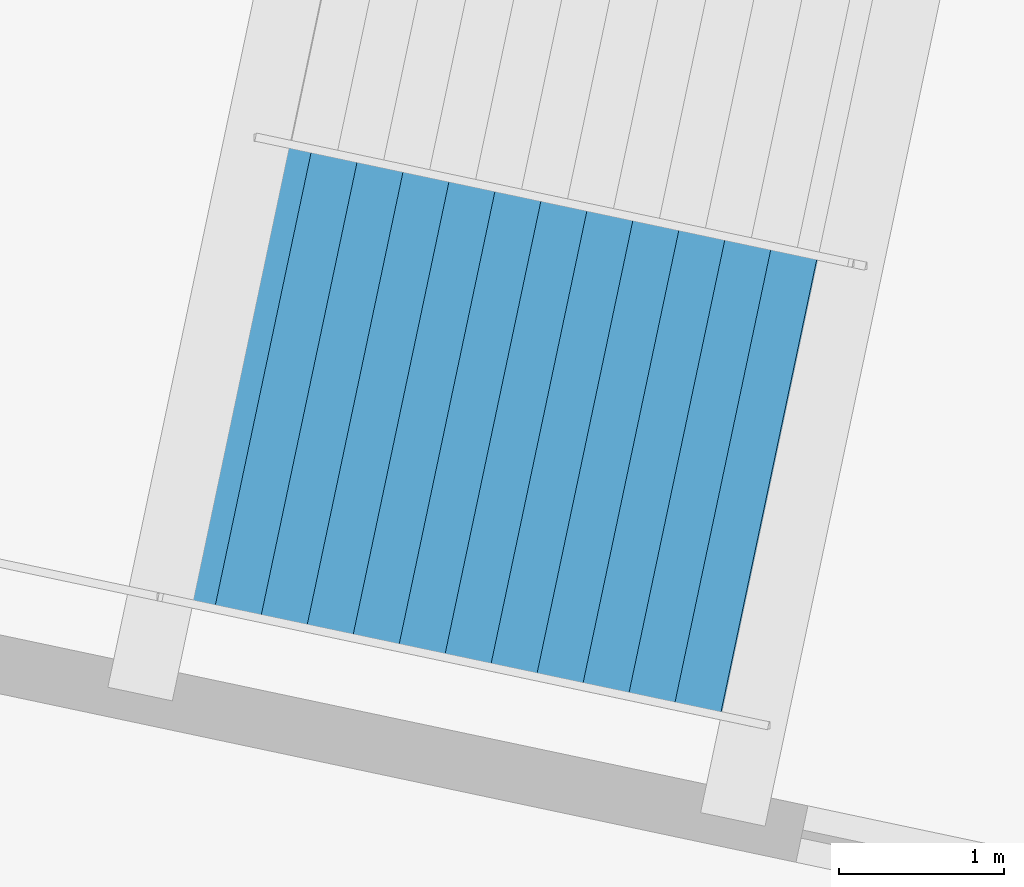
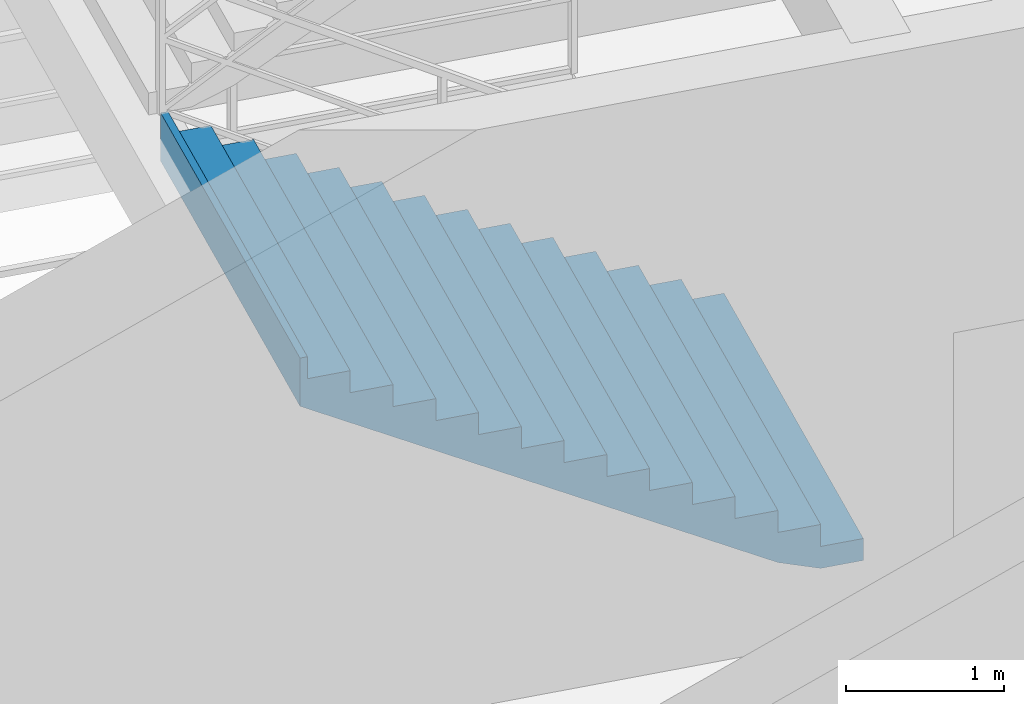
# One storey, part 162 of 171: 1 stair flight, 1 element without a shape of its own.
"""IFC4 building model written with IfcOpenShell, lengths in metres."""

from ifc_helpers import new_model, si_unit, direction, frame, origin, place, context, subcontext, project, spatial, polygons, material, type_object, element, aggregate, save


model = new_model("IFC4")

# Units and contexts
model_context = context("Model", 3, precision=1e-05, world=origin(), true_north=direction((0.0, 1.0)))
body_context = subcontext(model_context, "Body", "Model", "MODEL_VIEW")
ifc_project = project(units=[si_unit("LENGTHUNIT", "METRE"), si_unit("AREAUNIT", "SQUARE_METRE"), si_unit("VOLUMEUNIT", "CUBIC_METRE"), si_unit("PLANEANGLEUNIT", "RADIAN"), si_unit("MASSUNIT", "GRAM", prefix="KILO")], contexts=[model_context])

# Site, building, storey
site_placement = place(None, origin())
site = spatial("IfcSite", under=ifc_project, at=site_placement, CompositionType="ELEMENT")
building_placement = place(site_placement, origin())
building = spatial("IfcBuilding", under=site, at=building_placement, Name="Kazemori Nagisa Stadium", CompositionType="ELEMENT")
storey_placement = place(building_placement, frame((0.0, 0.0, 15.639892578125)))
storey = spatial("IfcBuildingStorey", under=building, at=storey_placement, Name="L03", CompositionType="ELEMENT", Elevation=15.639892578125)

# Stair, stair flight
ifc_material = material(Name="Concrete C36/45 (Fc36)", Category="concrete")
stair_type = type_object("IfcStairType", Name="Stair_CORE_28", PredefinedType="TWO_STRAIGHT_RUN_STAIR", material=ifc_material)
stair_placement = place(storey_placement, origin())
stair = element("IfcStair", 1, at=stair_placement, inside=storey, type_object=stair_type, Name="Exit stair ST11 L03", PredefinedType="TWO_STRAIGHT_RUN_STAIR")
stair_flight_type = type_object("IfcStairFlightType", Name="Flight_CORE_14", PredefinedType="STRAIGHT", material=ifc_material)
stair_flight_placement = place(storey_placement, frame((158.251953125, 176.464111328125, 0.0), z_axis=(0.0, 0.0, 1.0), x_axis=(-0.978345854204, 0.206976785078, 0.0)))
stair_flight = element("IfcStairFlight", 2, at=stair_flight_placement, type_object=stair_flight_type, Name="Exit stair ST11 L03 flight 1", NumberOfRisers=14, NumberOfTreads=13, PredefinedType="STRAIGHT", RiserHeight=0.17, TreadLength=0.285, context=body_context, shape_type="Tessellation", body=[
    polygons([(0.0, -1.425048828125, 0.0), (0.0, -1.425048828125, 0.169921875), (0.284912109375, -1.425048828125, 0.169921875), (0.284912109375, -1.425048828125, 0.340087890625), (0.570068359375, -1.425048828125, 0.340087890625), (0.570068359375, -1.425048828125, 0.510009765625), (0.85498046875, -1.425048828125, 0.510009765625), (0.85498046875, -1.425048828125, 0.679931640625), (1.139892578125, -1.425048828125, 0.679931640625), (1.139892578125, -1.425048828125, 0.85009765625), (1.425048828125, -1.425048828125, 0.85009765625), (1.425048828125, -1.425048828125, 1.02001953125), (1.7099609375, -1.425048828125, 1.02001953125), (1.7099609375, -1.425048828125, 1.18994140625), (1.9951171875, -1.425048828125, 1.18994140625), (1.9951171875, -1.425048828125, 1.360107421875), (2.280029296875, -1.425048828125, 1.360107421875), (2.280029296875, -1.425048828125, 1.530029296875), (2.56494140625, -1.425048828125, 1.530029296875), (2.56494140625, -1.425048828125, 1.699951171875), (2.85009765625, -1.425048828125, 1.699951171875), (2.85009765625, -1.425048828125, 1.8701171875), (3.135009765625, -1.425048828125, 1.8701171875), (3.135009765625, -1.425048828125, 2.0400390625), (3.419921875, -1.425048828125, 2.0400390625), (3.419921875, -1.425048828125, 2.2099609375), (3.705078125, -1.425048828125, 2.2099609375), (3.705078125, -1.425048828125, 2.3798828125), (3.7548828125, -1.425048828125, 2.3798828125), (3.7548828125, -1.425048828125, 2.007080078125), (3.705078125, -1.425048828125, 1.977294921875), (3.419921875, -1.425048828125, 1.80712890625), (3.135009765625, -1.425048828125, 1.63720703125), (2.85009765625, -1.425048828125, 1.46728515625), (2.56494140625, -1.425048828125, 1.297119140625), (2.280029296875, -1.425048828125, 1.127197265625), (1.9951171875, -1.425048828125, 0.957275390625), (1.7099609375, -1.425048828125, 0.787109375), (1.425048828125, -1.425048828125, 0.6171875), (1.139892578125, -1.425048828125, 0.447265625), (0.85498046875, -1.425048828125, 0.277099609375), (0.570068359375, -1.425048828125, 0.107177734375), (0.284912109375, -1.425048828125, 0.0), (0.0, -0.08544921875, 0.0), (0.0, -0.08544921875, 0.169921875), (0.284912109375, -0.08544921875, 0.169921875), (0.284912109375, -0.08544921875, 0.340087890625), (0.570068359375, -0.08544921875, 0.340087890625), (0.570068359375, -0.08544921875, 0.510009765625), (0.85498046875, -0.08544921875, 0.510009765625), (0.85498046875, -0.08544921875, 0.679931640625), (1.139892578125, -0.08544921875, 0.679931640625), (1.139892578125, -0.08544921875, 0.85009765625), (1.425048828125, -0.08544921875, 0.85009765625), (1.425048828125, -0.08544921875, 1.02001953125), (1.7099609375, -0.08544921875, 1.02001953125), (1.7099609375, -0.08544921875, 1.18994140625), (1.9951171875, -0.08544921875, 1.18994140625), (1.9951171875, -0.08544921875, 1.360107421875), (2.280029296875, -0.08544921875, 1.360107421875), (2.280029296875, -0.08544921875, 1.530029296875), (2.56494140625, -0.08544921875, 1.530029296875), (2.56494140625, -0.08544921875, 1.699951171875), (2.85009765625, -0.08544921875, 1.699951171875), (2.85009765625, -0.08544921875, 1.8701171875), (3.135009765625, -0.08544921875, 1.8701171875), (3.135009765625, -0.08544921875, 2.0400390625), (3.419921875, -0.08544921875, 2.0400390625), (3.419921875, -0.08544921875, 2.2099609375), (3.705078125, -0.08544921875, 2.2099609375), (3.705078125, -0.08544921875, 2.3798828125), (3.7548828125, -0.08544921875, 2.3798828125), (3.7548828125, -0.08544921875, 2.007080078125), (3.705078125, -0.08544921875, 1.977294921875), (3.419921875, -0.08544921875, 1.80712890625), (3.135009765625, -0.08544921875, 1.63720703125), (2.85009765625, -0.08544921875, 1.46728515625), (2.56494140625, -0.08544921875, 1.297119140625), (2.280029296875, -0.08544921875, 1.127197265625), (1.9951171875, -0.08544921875, 0.957275390625), (1.7099609375, -0.08544921875, 0.787109375), (1.425048828125, -0.08544921875, 0.6171875), (1.139892578125, -0.08544921875, 0.447265625), (0.85498046875, -0.08544921875, 0.277099609375), (0.570068359375, -0.08544921875, 0.107177734375), (0.284912109375, -0.08544921875, 0.0), (0.0, 0.0, 0.0), (0.0, 0.0, 0.169921875), (0.284912109375, 0.0, 0.169921875), (0.284912109375, 0.0, 0.340087890625), (0.570068359375, 0.0, 0.340087890625), (0.570068359375, 0.0, 0.510009765625), (0.85498046875, 0.0, 0.510009765625), (0.85498046875, 0.0, 0.679931640625), (1.139892578125, 0.0, 0.679931640625), (1.139892578125, 0.0, 0.85009765625), (1.425048828125, 0.0, 0.85009765625), (1.425048828125, 0.0, 1.02001953125), (1.7099609375, 0.0, 1.02001953125), (1.7099609375, 0.0, 1.18994140625), (1.9951171875, 0.0, 1.18994140625), (1.9951171875, 0.0, 1.360107421875), (2.280029296875, 0.0, 1.360107421875), (2.280029296875, 0.0, 1.530029296875), (2.56494140625, 0.0, 1.530029296875), (2.56494140625, 0.0, 1.699951171875), (2.85009765625, 0.0, 1.699951171875), (2.85009765625, 0.0, 1.8701171875), (3.135009765625, 0.0, 1.8701171875), (3.135009765625, 0.0, 2.0400390625), (3.419921875, 0.0, 2.0400390625), (3.419921875, 0.0, 2.2099609375), (3.705078125, 0.0, 2.2099609375), (3.705078125, 0.0, 2.3798828125), (3.7548828125, 0.0, 2.3798828125), (3.7548828125, 0.0, 2.007080078125), (3.705078125, 0.0, 1.977294921875), (3.419921875, 0.0, 1.80712890625), (3.135009765625, 0.0, 1.63720703125), (2.85009765625, 0.0, 1.46728515625), (2.56494140625, 0.0, 1.297119140625), (2.280029296875, 0.0, 1.127197265625), (1.9951171875, 0.0, 0.957275390625), (1.7099609375, 0.0, 0.787109375), (1.425048828125, 0.0, 0.6171875), (1.139892578125, 0.0, 0.447265625), (0.85498046875, 0.0, 0.277099609375), (0.570068359375, 0.0, 0.107177734375), (0.284912109375, 0.0, 0.0), (0.0, 0.08544921875, 0.0), (0.0, 0.08544921875, 0.169921875), (0.284912109375, 0.08544921875, 0.169921875), (0.284912109375, 0.08544921875, 0.340087890625), (0.570068359375, 0.08544921875, 0.340087890625), (0.570068359375, 0.08544921875, 0.510009765625), (0.85498046875, 0.08544921875, 0.510009765625), (0.85498046875, 0.08544921875, 0.679931640625), (1.139892578125, 0.08544921875, 0.679931640625), (1.139892578125, 0.08544921875, 0.85009765625), (1.425048828125, 0.08544921875, 0.85009765625), (1.425048828125, 0.08544921875, 1.02001953125), (1.7099609375, 0.08544921875, 1.02001953125), (1.7099609375, 0.08544921875, 1.18994140625), (1.9951171875, 0.08544921875, 1.18994140625), (1.9951171875, 0.08544921875, 1.360107421875), (2.280029296875, 0.08544921875, 1.360107421875), (2.280029296875, 0.08544921875, 1.530029296875), (2.56494140625, 0.08544921875, 1.530029296875), (2.56494140625, 0.08544921875, 1.699951171875), (2.85009765625, 0.08544921875, 1.699951171875), (2.85009765625, 0.08544921875, 1.8701171875), (3.135009765625, 0.08544921875, 1.8701171875), (3.135009765625, 0.08544921875, 2.0400390625), (3.419921875, 0.08544921875, 2.0400390625), (3.419921875, 0.08544921875, 2.2099609375), (3.705078125, 0.08544921875, 2.2099609375), (3.705078125, 0.08544921875, 2.3798828125), (3.7548828125, 0.08544921875, 2.3798828125), (3.7548828125, 0.08544921875, 2.007080078125), (3.705078125, 0.08544921875, 1.977294921875), (3.419921875, 0.08544921875, 1.80712890625), (3.135009765625, 0.08544921875, 1.63720703125), (2.85009765625, 0.08544921875, 1.46728515625), (2.56494140625, 0.08544921875, 1.297119140625), (2.280029296875, 0.08544921875, 1.127197265625), (1.9951171875, 0.08544921875, 0.957275390625), (1.7099609375, 0.08544921875, 0.787109375), (1.425048828125, 0.08544921875, 0.6171875), (1.139892578125, 0.08544921875, 0.447265625), (0.85498046875, 0.08544921875, 0.277099609375), (0.570068359375, 0.08544921875, 0.107177734375), (0.284912109375, 0.08544921875, 0.0), (0.0, 1.425048828125, 0.0), (0.0, 1.425048828125, 0.169921875), (0.284912109375, 1.425048828125, 0.169921875), (0.284912109375, 1.425048828125, 0.340087890625), (0.570068359375, 1.425048828125, 0.340087890625), (0.570068359375, 1.425048828125, 0.510009765625), (0.85498046875, 1.425048828125, 0.510009765625), (0.85498046875, 1.425048828125, 0.679931640625), (1.139892578125, 1.425048828125, 0.679931640625), (1.139892578125, 1.425048828125, 0.85009765625), (1.425048828125, 1.425048828125, 0.85009765625), (1.425048828125, 1.425048828125, 1.02001953125), (1.7099609375, 1.425048828125, 1.02001953125), (1.7099609375, 1.425048828125, 1.18994140625), (1.9951171875, 1.425048828125, 1.18994140625), (1.9951171875, 1.425048828125, 1.360107421875), (2.280029296875, 1.425048828125, 1.360107421875), (2.280029296875, 1.425048828125, 1.530029296875), (2.56494140625, 1.425048828125, 1.530029296875), (2.56494140625, 1.425048828125, 1.699951171875), (2.85009765625, 1.425048828125, 1.699951171875), (2.85009765625, 1.425048828125, 1.8701171875), (3.135009765625, 1.425048828125, 1.8701171875), (3.135009765625, 1.425048828125, 2.0400390625), (3.419921875, 1.425048828125, 2.0400390625), (3.419921875, 1.425048828125, 2.2099609375), (3.705078125, 1.425048828125, 2.2099609375), (3.705078125, 1.425048828125, 2.3798828125), (3.7548828125, 1.425048828125, 2.3798828125), (3.7548828125, 1.425048828125, 2.007080078125), (3.705078125, 1.425048828125, 1.977294921875), (3.419921875, 1.425048828125, 1.80712890625), (3.135009765625, 1.425048828125, 1.63720703125), (2.85009765625, 1.425048828125, 1.46728515625), (2.56494140625, 1.425048828125, 1.297119140625), (2.280029296875, 1.425048828125, 1.127197265625), (1.9951171875, 1.425048828125, 0.957275390625), (1.7099609375, 1.425048828125, 0.787109375), (1.425048828125, 1.425048828125, 0.6171875), (1.139892578125, 1.425048828125, 0.447265625), (0.85498046875, 1.425048828125, 0.277099609375), (0.570068359375, 1.425048828125, 0.107177734375), (0.284912109375, 1.425048828125, 0.0)], [[[1, 2, 45]], [[1, 45, 44]], [[2, 3, 46]], [[2, 46, 45]], [[3, 4, 47]], [[3, 47, 46]], [[4, 5, 48]], [[4, 48, 47]], [[5, 6, 49]], [[5, 49, 48]], [[6, 7, 50]], [[6, 50, 49]], [[7, 8, 51]], [[7, 51, 50]], [[8, 9, 52]], [[8, 52, 51]], [[9, 10, 53]], [[9, 53, 52]], [[10, 11, 54]], [[10, 54, 53]], [[11, 12, 55]], [[11, 55, 54]], [[12, 13, 56]], [[12, 56, 55]], [[13, 14, 57]], [[13, 57, 56]], [[14, 15, 58]], [[14, 58, 57]], [[15, 16, 59]], [[15, 59, 58]], [[16, 17, 60]], [[16, 60, 59]], [[17, 18, 61]], [[17, 61, 60]], [[18, 19, 62]], [[18, 62, 61]], [[19, 20, 63]], [[19, 63, 62]], [[20, 21, 64]], [[20, 64, 63]], [[21, 22, 65]], [[21, 65, 64]], [[22, 23, 66]], [[22, 66, 65]], [[23, 24, 67]], [[23, 67, 66]], [[24, 25, 68]], [[24, 68, 67]], [[25, 26, 69]], [[25, 69, 68]], [[26, 27, 70]], [[26, 70, 69]], [[27, 28, 71]], [[27, 71, 70]], [[28, 29, 72]], [[28, 72, 71]], [[29, 30, 73]], [[29, 73, 72]], [[30, 31, 74]], [[30, 74, 73]], [[31, 32, 75]], [[31, 75, 74]], [[32, 33, 76]], [[32, 76, 75]], [[33, 34, 77]], [[33, 77, 76]], [[34, 35, 78]], [[34, 78, 77]], [[35, 36, 79]], [[35, 79, 78]], [[36, 37, 80]], [[36, 80, 79]], [[37, 38, 81]], [[37, 81, 80]], [[38, 39, 82]], [[38, 82, 81]], [[39, 40, 83]], [[39, 83, 82]], [[40, 41, 84]], [[40, 84, 83]], [[41, 42, 85]], [[41, 85, 84]], [[42, 43, 86]], [[42, 86, 85]], [[43, 1, 44]], [[43, 44, 86]], [[44, 45, 88]], [[44, 88, 87]], [[45, 46, 89]], [[45, 89, 88]], [[46, 47, 90]], [[46, 90, 89]], [[47, 48, 91]], [[47, 91, 90]], [[48, 49, 92]], [[48, 92, 91]], [[49, 50, 93]], [[49, 93, 92]], [[50, 51, 94]], [[50, 94, 93]], [[51, 52, 95]], [[51, 95, 94]], [[52, 53, 96]], [[52, 96, 95]], [[53, 54, 97]], [[53, 97, 96]], [[54, 55, 98]], [[54, 98, 97]], [[55, 56, 99]], [[55, 99, 98]], [[56, 57, 100]], [[56, 100, 99]], [[57, 58, 101]], [[57, 101, 100]], [[58, 59, 102]], [[58, 102, 101]], [[59, 60, 103]], [[59, 103, 102]], [[60, 61, 104]], [[60, 104, 103]], [[61, 62, 105]], [[61, 105, 104]], [[62, 63, 106]], [[62, 106, 105]], [[63, 64, 107]], [[63, 107, 106]], [[64, 65, 108]], [[64, 108, 107]], [[65, 66, 109]], [[65, 109, 108]], [[66, 67, 110]], [[66, 110, 109]], [[67, 68, 111]], [[67, 111, 110]], [[68, 69, 112]], [[68, 112, 111]], [[69, 70, 113]], [[69, 113, 112]], [[70, 71, 114]], [[70, 114, 113]], [[71, 72, 115]], [[71, 115, 114]], [[72, 73, 116]], [[72, 116, 115]], [[73, 74, 117]], [[73, 117, 116]], [[74, 75, 118]], [[74, 118, 117]], [[75, 76, 119]], [[75, 119, 118]], [[76, 77, 120]], [[76, 120, 119]], [[77, 78, 121]], [[77, 121, 120]], [[78, 79, 122]], [[78, 122, 121]], [[79, 80, 123]], [[79, 123, 122]], [[80, 81, 124]], [[80, 124, 123]], [[81, 82, 125]], [[81, 125, 124]], [[82, 83, 126]], [[82, 126, 125]], [[83, 84, 127]], [[83, 127, 126]], [[84, 85, 128]], [[84, 128, 127]], [[85, 86, 129]], [[85, 129, 128]], [[86, 44, 87]], [[86, 87, 129]], [[87, 88, 131]], [[87, 131, 130]], [[88, 89, 132]], [[88, 132, 131]], [[89, 90, 133]], [[89, 133, 132]], [[90, 91, 134]], [[90, 134, 133]], [[91, 92, 135]], [[91, 135, 134]], [[92, 93, 136]], [[92, 136, 135]], [[93, 94, 137]], [[93, 137, 136]], [[94, 95, 138]], [[94, 138, 137]], [[95, 96, 139]], [[95, 139, 138]], [[96, 97, 140]], [[96, 140, 139]], [[97, 98, 141]], [[97, 141, 140]], [[98, 99, 142]], [[98, 142, 141]], [[99, 100, 143]], [[99, 143, 142]], [[100, 101, 144]], [[100, 144, 143]], [[101, 102, 145]], [[101, 145, 144]], [[102, 103, 146]], [[102, 146, 145]], [[103, 104, 147]], [[103, 147, 146]], [[104, 105, 148]], [[104, 148, 147]], [[105, 106, 149]], [[105, 149, 148]], [[106, 107, 150]], [[106, 150, 149]], [[107, 108, 151]], [[107, 151, 150]], [[108, 109, 152]], [[108, 152, 151]], [[109, 110, 153]], [[109, 153, 152]], [[110, 111, 154]], [[110, 154, 153]], [[111, 112, 155]], [[111, 155, 154]], [[112, 113, 156]], [[112, 156, 155]], [[113, 114, 157]], [[113, 157, 156]], [[114, 115, 158]], [[114, 158, 157]], [[115, 116, 159]], [[115, 159, 158]], [[116, 117, 160]], [[116, 160, 159]], [[117, 118, 161]], [[117, 161, 160]], [[118, 119, 162]], [[118, 162, 161]], [[119, 120, 163]], [[119, 163, 162]], [[120, 121, 164]], [[120, 164, 163]], [[121, 122, 165]], [[121, 165, 164]], [[122, 123, 166]], [[122, 166, 165]], [[123, 124, 167]], [[123, 167, 166]], [[124, 125, 168]], [[124, 168, 167]], [[125, 126, 169]], [[125, 169, 168]], [[126, 127, 170]], [[126, 170, 169]], [[127, 128, 171]], [[127, 171, 170]], [[128, 129, 172]], [[128, 172, 171]], [[129, 87, 130]], [[129, 130, 172]], [[130, 131, 174]], [[130, 174, 173]], [[131, 132, 175]], [[131, 175, 174]], [[132, 133, 176]], [[132, 176, 175]], [[133, 134, 177]], [[133, 177, 176]], [[134, 135, 178]], [[134, 178, 177]], [[135, 136, 179]], [[135, 179, 178]], [[136, 137, 180]], [[136, 180, 179]], [[137, 138, 181]], [[137, 181, 180]], [[138, 139, 182]], [[138, 182, 181]], [[139, 140, 183]], [[139, 183, 182]], [[140, 141, 184]], [[140, 184, 183]], [[141, 142, 185]], [[141, 185, 184]], [[142, 143, 186]], [[142, 186, 185]], [[143, 144, 187]], [[143, 187, 186]], [[144, 145, 188]], [[144, 188, 187]], [[145, 146, 189]], [[145, 189, 188]], [[146, 147, 190]], [[146, 190, 189]], [[147, 148, 191]], [[147, 191, 190]], [[148, 149, 192]], [[148, 192, 191]], [[149, 150, 193]], [[149, 193, 192]], [[150, 151, 194]], [[150, 194, 193]], [[151, 152, 195]], [[151, 195, 194]], [[152, 153, 196]], [[152, 196, 195]], [[153, 154, 197]], [[153, 197, 196]], [[154, 155, 198]], [[154, 198, 197]], [[155, 156, 199]], [[155, 199, 198]], [[156, 157, 200]], [[156, 200, 199]], [[157, 158, 201]], [[157, 201, 200]], [[158, 159, 202]], [[158, 202, 201]], [[159, 160, 203]], [[159, 203, 202]], [[160, 161, 204]], [[160, 204, 203]], [[161, 162, 205]], [[161, 205, 204]], [[162, 163, 206]], [[162, 206, 205]], [[163, 164, 207]], [[163, 207, 206]], [[164, 165, 208]], [[164, 208, 207]], [[165, 166, 209]], [[165, 209, 208]], [[166, 167, 210]], [[166, 210, 209]], [[167, 168, 211]], [[167, 211, 210]], [[168, 169, 212]], [[168, 212, 211]], [[169, 170, 213]], [[169, 213, 212]], [[170, 171, 214]], [[170, 214, 213]], [[171, 172, 215]], [[171, 215, 214]], [[172, 130, 173]], [[172, 173, 215]], [[3, 2, 1]], [[173, 174, 175]], [[43, 3, 1]], [[173, 175, 215]], [[42, 3, 43]], [[215, 175, 214]], [[5, 3, 42]], [[214, 175, 177]], [[5, 4, 3]], [[175, 176, 177]], [[41, 5, 42]], [[214, 177, 213]], [[7, 5, 41]], [[213, 177, 179]], [[7, 6, 5]], [[177, 178, 179]], [[40, 7, 41]], [[213, 179, 212]], [[9, 7, 40]], [[212, 179, 181]], [[9, 8, 7]], [[179, 180, 181]], [[39, 9, 40]], [[212, 181, 211]], [[11, 9, 39]], [[211, 181, 183]], [[11, 10, 9]], [[181, 182, 183]], [[38, 11, 39]], [[211, 183, 210]], [[13, 11, 38]], [[210, 183, 185]], [[13, 12, 11]], [[183, 184, 185]], [[37, 13, 38]], [[210, 185, 209]], [[15, 13, 37]], [[209, 185, 187]], [[15, 14, 13]], [[185, 186, 187]], [[36, 15, 37]], [[209, 187, 208]], [[17, 15, 36]], [[208, 187, 189]], [[17, 16, 15]], [[187, 188, 189]], [[35, 17, 36]], [[208, 189, 207]], [[19, 17, 35]], [[207, 189, 191]], [[19, 18, 17]], [[189, 190, 191]], [[34, 19, 35]], [[207, 191, 206]], [[21, 19, 34]], [[206, 191, 193]], [[21, 20, 19]], [[191, 192, 193]], [[33, 21, 34]], [[206, 193, 205]], [[23, 21, 33]], [[205, 193, 195]], [[23, 22, 21]], [[193, 194, 195]], [[32, 23, 33]], [[205, 195, 204]], [[25, 23, 32]], [[204, 195, 197]], [[25, 24, 23]], [[195, 196, 197]], [[31, 25, 32]], [[204, 197, 203]], [[27, 25, 31]], [[203, 197, 199]], [[27, 26, 25]], [[197, 198, 199]], [[30, 27, 31]], [[203, 199, 202]], [[29, 27, 30]], [[202, 199, 201]], [[29, 28, 27]], [[199, 200, 201]]], closed=True),
])
aggregate(stair, [stair_flight])

save(model, "model.ifc")
